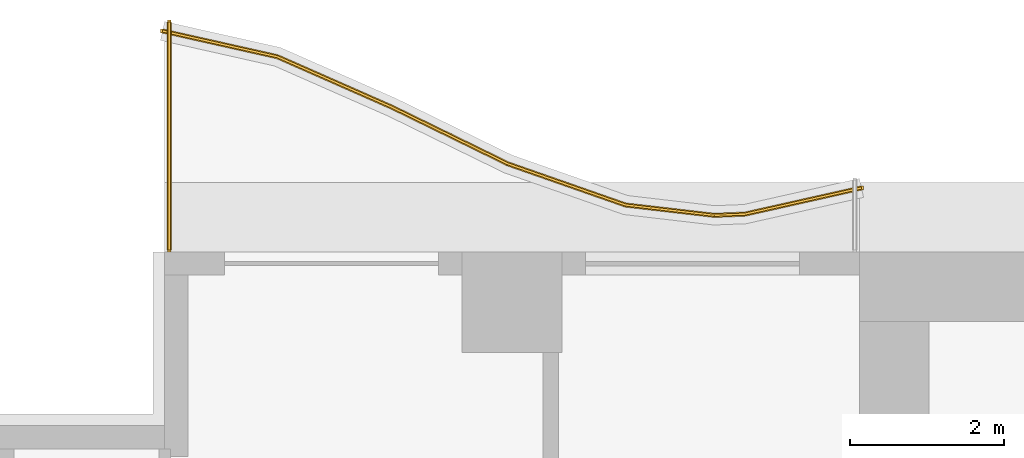
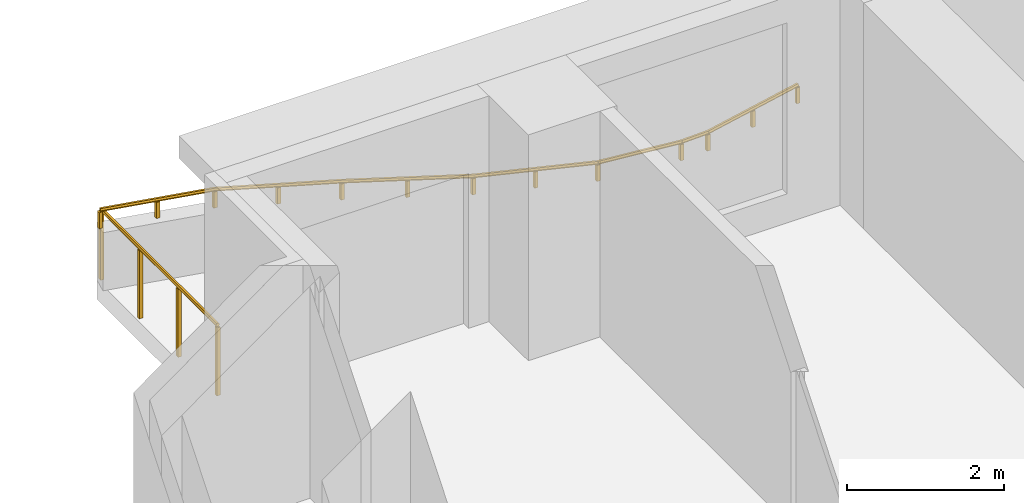
# One storey, part 12 of 13: 2 railings.
"""IFC4 building model written with IfcOpenShell, lengths in metres."""

from ifc_helpers import new_model, si_unit, direction, frame, origin, origin_2d, place, context, subcontext, project, spatial, polyline, rectangle, outline, extrude, material, type_object, element, save


model = new_model("IFC4")

# Units and contexts
model_context = context("Model", 3, precision=1e-05, world=origin(), true_north=direction((0.0, 1.0)))
body_context = subcontext(model_context, "Body", "Model", "MODEL_VIEW")
ifc_project = project(units=[si_unit("LENGTHUNIT", "METRE"), si_unit("AREAUNIT", "SQUARE_METRE"), si_unit("VOLUMEUNIT", "CUBIC_METRE"), si_unit("PLANEANGLEUNIT", "RADIAN"), si_unit("MASSUNIT", "GRAM", prefix="KILO")], contexts=[model_context])

# Site, building, storey
site_placement = place(None, origin())
site = spatial("IfcSite", under=ifc_project, at=site_placement, CompositionType="ELEMENT")
building_placement = place(site_placement, origin())
building = spatial("IfcBuilding", under=site, at=building_placement, Name="Orbiselva Terraces", CompositionType="ELEMENT")
storey_placement = place(building_placement, frame((0.0, 0.0, 96.0)))
storey = spatial("IfcBuildingStorey", under=building, at=storey_placement, Name="L24", CompositionType="ELEMENT", Elevation=96.0)

# Railings
ifc_material_1 = material(Name="Bonded two-ply safety glass balustrade, stainless steel posts", Category="steel")
railing_type_1 = type_object("IfcRailingType", Name="ENV-BALUSTRADE-1200", PredefinedType="BALUSTRADE", material=ifc_material_1)
railing_1_placement = place(storey_placement, frame((-13.472623, 23.329507, 0.9)))
element("IfcRailing", 1, at=railing_1_placement, inside=storey, type_object=railing_type_1, Name="Balcony balustrade L24 NW", PredefinedType="BALUSTRADE", context=body_context, shape_type="SweptSolid", body=[
    extrude(outline(polyline([(0.028868, 0.0), (0.014434, 0.025), (-0.014434, 0.025), (-0.028868, 0.0), (-0.014434, -0.025), (0.014434, -0.025), (0.028868, 0.0)])), frame((0.0, 0.0, 0.275), z_axis=(-0.97572138316, -0.219015484484, 0.0), x_axis=(0.219015484484, -0.97572138316, 0.0)), (0.0, 0.0, 1.0), 1.548694),
    extrude(outline(polyline([(0.028868, 0.0), (0.014434, 0.025), (-0.014434, 0.025), (-0.028868, 0.0), (-0.014434, -0.025), (0.014434, -0.025), (0.028868, 0.0)])), frame((-1.511094, -0.339188, 0.275), z_axis=(-0.999224734286, -0.03936915532, 0.0), x_axis=(0.03936915532, -0.999224734286, 0.0)), (0.0, 0.0, 1.0), 0.396376),
    extrude(outline(polyline([(0.028868, 0.0), (0.014434, 0.025), (-0.014434, 0.025), (-0.028868, 0.0), (-0.014434, -0.025), (0.014434, -0.025), (0.028868, 0.0)])), frame((-1.907163, -0.354793, 0.275), z_axis=(-0.993309551734, 0.115482182324, 0.0), x_axis=(-0.115482182324, -0.993309551734, 0.0)), (0.0, 0.0, 1.0), 1.156135),
    extrude(outline(polyline([(0.028868, 0.0), (0.014434, 0.025), (-0.014434, 0.025), (-0.028868, 0.0), (-0.014434, -0.025), (0.014434, -0.025), (0.028868, 0.0)])), frame((-3.055563, -0.22128, 0.275), z_axis=(-0.943972332783, 0.330024597479, 0.0), x_axis=(-0.330024597479, -0.943972332783, 0.0)), (0.0, 0.0, 1.0), 1.610253),
    extrude(outline(polyline([(0.028868, 0.0), (0.014434, 0.025), (-0.014434, 0.025), (-0.028868, 0.0), (-0.014434, -0.025), (0.014434, -0.025), (0.028868, 0.0)])), frame((-4.575597, 0.310143, 0.275), z_axis=(-0.898578870221, 0.438812048596, 0.0), x_axis=(-0.438812048596, -0.898578870221, 0.0)), (0.0, 0.0, 1.0), 1.674225),
    extrude(outline(polyline([(0.028868, 0.0), (0.014434, 0.025), (-0.014434, 0.025), (-0.028868, 0.0), (-0.014434, -0.025), (0.014434, -0.025), (0.028868, 0.0)])), frame((-6.08002, 1.044813, 0.275), z_axis=(-0.915133363686, 0.403151245402, 0.0), x_axis=(-0.403151245402, -0.915133363686, 0.0)), (0.0, 0.0, 1.0), 1.624475),
    extrude(outline(polyline([(0.028868, 0.0), (0.014434, 0.025), (-0.014434, 0.025), (-0.028868, 0.0), (-0.014434, -0.025), (0.014434, -0.025), (0.028868, 0.0)])), frame((-7.566631, 1.699722, 0.275), z_axis=(-0.975721356559, 0.219015602994, 0.0), x_axis=(-0.219015602994, -0.975721356559, 0.0)), (0.0, 0.0, 1.0), 1.525152),
    extrude(rectangle(XDim=0.05, YDim=0.05, at=origin_2d()), origin(), (0.0, 0.0, 1.0), 0.25),
    extrude(rectangle(XDim=0.05, YDim=0.05, at=origin_2d()), frame((-0.755547, -0.169594, 0.0)), (0.0, 0.0, 1.0), 0.25),
    extrude(rectangle(XDim=0.05, YDim=0.05, at=origin_2d()), frame((-1.511094, -0.339188, 0.0)), (0.0, 0.0, 1.0), 0.25),
    extrude(rectangle(XDim=0.05, YDim=0.05, at=origin_2d()), frame((-1.907163, -0.354793, 0.0)), (0.0, 0.0, 1.0), 0.25),
    extrude(rectangle(XDim=0.05, YDim=0.05, at=origin_2d()), frame((-3.055563, -0.22128, 0.0)), (0.0, 0.0, 1.0), 0.25),
    extrude(rectangle(XDim=0.05, YDim=0.05, at=origin_2d()), frame((-3.81558, 0.044431, 0.0)), (0.0, 0.0, 1.0), 0.25),
    extrude(rectangle(XDim=0.05, YDim=0.05, at=origin_2d()), frame((-4.575597, 0.310143, 0.0)), (0.0, 0.0, 1.0), 0.25),
    extrude(rectangle(XDim=0.05, YDim=0.05, at=origin_2d()), frame((-5.327808, 0.677478, 0.0)), (0.0, 0.0, 1.0), 0.25),
    extrude(rectangle(XDim=0.05, YDim=0.05, at=origin_2d()), frame((-6.08002, 1.044813, 0.0)), (0.0, 0.0, 1.0), 0.25),
    extrude(rectangle(XDim=0.05, YDim=0.05, at=origin_2d()), frame((-6.823325, 1.372268, 0.0)), (0.0, 0.0, 1.0), 0.25),
    extrude(rectangle(XDim=0.05, YDim=0.05, at=origin_2d()), frame((-7.566631, 1.699722, 0.0)), (0.0, 0.0, 1.0), 0.25),
    extrude(rectangle(XDim=0.05, YDim=0.05, at=origin_2d()), frame((-8.310692, 1.866738, 0.0)), (0.0, 0.0, 1.0), 0.25),
    extrude(rectangle(XDim=0.05, YDim=0.05, at=origin_2d()), frame((-9.054754, 2.033754, 0.0)), (0.0, 0.0, 1.0), 0.25),
])
ifc_material_2 = material(Name="Stainless steel rail and posts", Category="steel")
railing_type_2 = type_object("IfcRailingType", Name="ENV-GUARD-1105", PredefinedType="BALUSTRADE", material=ifc_material_2)
railing_2_placement = place(storey_placement, frame((-22.44, 25.480134, 0.0)))
element("IfcRailing", 2, at=railing_2_placement, inside=storey, type_object=railing_type_2, Name="Balcony end guard L24 NW", PredefinedType="BALUSTRADE", context=body_context, shape_type="SweptSolid", body=[
    extrude(outline(polyline([(0.028868, 0.0), (0.014434, 0.025), (-0.014434, 0.025), (-0.028868, 0.0), (-0.014434, -0.025), (0.014434, -0.025), (0.028868, 0.0)])), frame((0.0, 0.0, 1.08), z_axis=(0.0, -1.0, 0.0), x_axis=(1.0, 0.0, 0.0)), (0.0, 0.0, 1.0), 2.955134),
    extrude(rectangle(XDim=0.05, YDim=0.05, at=origin_2d()), origin(), (0.0, 0.0, 1.0), 1.055),
    extrude(rectangle(XDim=0.05, YDim=0.05, at=origin_2d()), frame((0.0, -0.985045, 0.0)), (0.0, 0.0, 1.0), 1.055),
    extrude(rectangle(XDim=0.05, YDim=0.05, at=origin_2d()), frame((0.0, -1.970089, 0.0)), (0.0, 0.0, 1.0), 1.055),
    extrude(rectangle(XDim=0.05, YDim=0.05, at=origin_2d()), frame((0.0, -2.955134, 0.0)), (0.0, 0.0, 1.0), 1.055),
])

save(model, "model.ifc")
